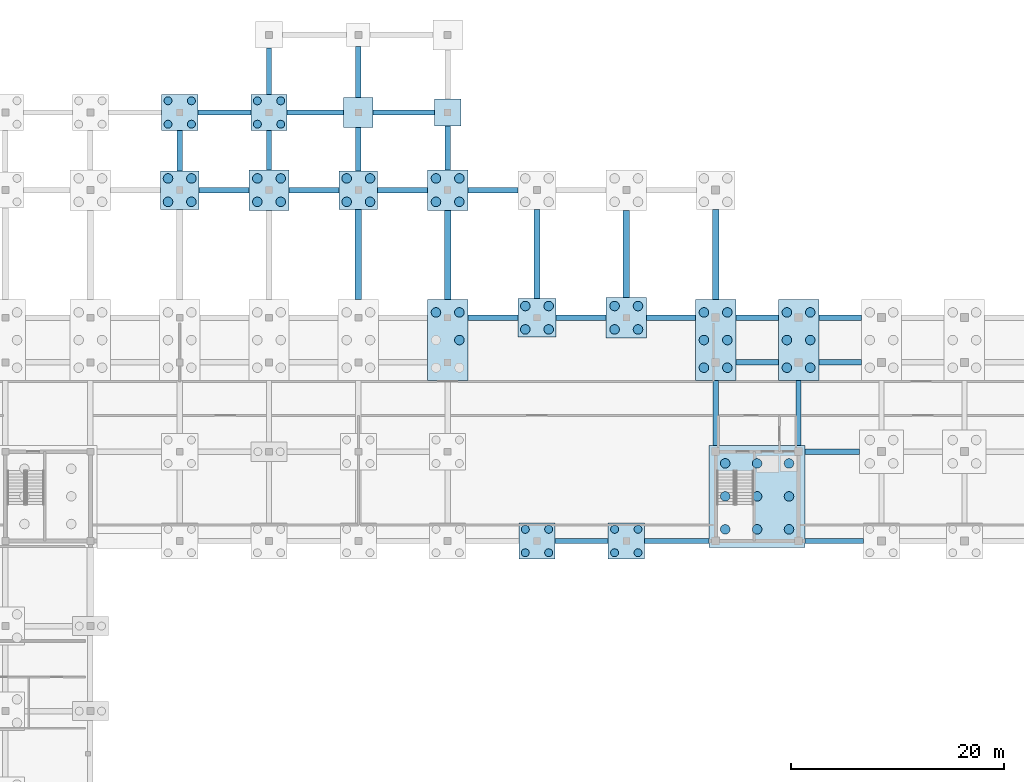
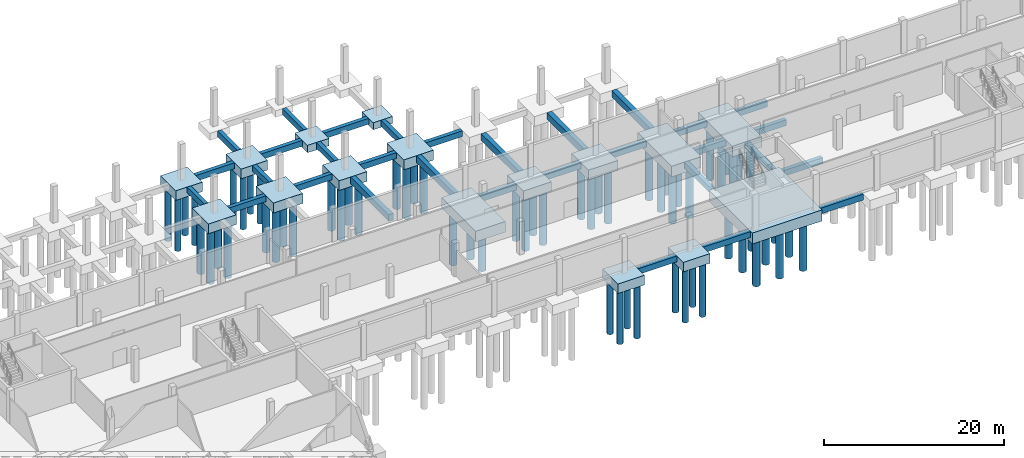
# One storey, part 7 of 22: 64 piles, 47 footings.
"""IFC4 building model written with IfcOpenShell, lengths in metres."""

from ifc_helpers import new_model, si_unit, direction, frame, origin, origin_2d, place, context, subcontext, project, spatial, polyline, rectangle, circle, outline, extrude, material, material_profile, profile_set, type_object, element, save


model = new_model("IFC4")

# Units and contexts
model_context = context("Model", 3, precision=1e-05, world=origin(), true_north=direction((0.0, 1.0)))
body_context = subcontext(model_context, "Body", "Model", "MODEL_VIEW")
ifc_project = project(units=[si_unit("LENGTHUNIT", "METRE"), si_unit("AREAUNIT", "SQUARE_METRE"), si_unit("VOLUMEUNIT", "CUBIC_METRE"), si_unit("PLANEANGLEUNIT", "RADIAN"), si_unit("MASSUNIT", "GRAM", prefix="KILO")], contexts=[model_context])

# Site, building, storey
site_placement = place(None, origin())
site = spatial("IfcSite", under=ifc_project, at=site_placement, CompositionType="ELEMENT")
building_placement = place(site_placement, origin())
building = spatial("IfcBuilding", under=site, at=building_placement, Name="Vharandega Faculty of Natural Sciences", CompositionType="ELEMENT")
storey_placement = place(building_placement, frame((0.0, 0.0, -4.5)))
storey = spatial("IfcBuildingStorey", under=building, at=storey_placement, Name="B01", CompositionType="ELEMENT", Elevation=-4.5)

# Piles
ifc_material_1 = material(Name="Concrete C35/45", Category="concrete")
ifc_material_profile_1 = material_profile(ifc_material_1, circle(Radius=0.375, at=origin_2d()), Name="PILE 750")
ifc_profile_set_1 = profile_set([ifc_material_profile_1], Name="Concrete C35/45")
pile_type_1 = type_object("IfcPileType", Name="Bored Pile 750", PredefinedType="BORED", material=ifc_profile_set_1)
for number, where, z_axis, x_axis, name in (
    (1, (63.300048828125, 103.199951171875, -1.64990234375), (0.0, 0.0, -1.0), (1.0, 0.0, 0.0), "Bored Pile PL-9P-01"),
    (2, (65.5, 103.199951171875, -1.64990234375), (0.0, 0.0, -1.0), (1.0, 0.0, 0.0), "Bored Pile PL-9P-02"),
    (3, (65.5, 105.39990234375, -1.64990234375), (0.0, 0.0, -1.0), (1.0, 0.0, 0.0), "Bored Pile PL-9P-03"),
    (4, (63.300048828125, 105.39990234375, -1.64990234375), (0.0, 0.0, -1.0), (1.0, 0.0, 0.0), "Bored Pile PL-9P-04"),
    (5, (71.699951171875, 103.199951171875, -1.64990234375), (0.0, 0.0, -1.0), (1.0, 0.0, 0.0), "Bored Pile PL-10P-01"),
    (6, (73.89990234375, 103.199951171875, -1.64990234375), (0.0, 0.0, -1.0), (1.0, 0.0, 0.0), "Bored Pile PL-10P-02"),
    (7, (73.89990234375, 105.39990234375, -1.64990234375), (0.0, 0.0, -1.0), (1.0, 0.0, 0.0), "Bored Pile PL-10P-03"),
    (8, (71.699951171875, 105.39990234375, -1.64990234375), (0.0, 0.0, -1.0), (1.0, 0.0, 0.0), "Bored Pile PL-10P-04"),
    (9, (96.89990234375, 62.89990234375, -1.64990234375), (0.0, 0.0, -1.0), (1.0, 0.0, 0.0), "Bored Pile PL-13J-01"),
    (10, (99.10009765625, 62.89990234375, -1.64990234375), (0.0, 0.0, -1.0), (1.0, 0.0, 0.0), "Bored Pile PL-13J-02"),
    (11, (99.10009765625, 65.10009765625, -1.64990234375), (0.0, 0.0, -1.0), (1.0, 0.0, 0.0), "Bored Pile PL-13J-03"),
    (12, (96.89990234375, 65.10009765625, -1.64990234375), (0.0, 0.0, -1.0), (1.0, 0.0, 0.0), "Bored Pile PL-13J-04"),
    (13, (105.300048828125, 62.89990234375, -1.64990234375), (0.0, 0.0, -1.0), (1.0, 0.0, 0.0), "Bored Pile PL-14J-01"),
    (14, (107.5, 62.89990234375, -1.64990234375), (0.0, 0.0, -1.0), (1.0, 0.0, 0.0), "Bored Pile PL-14J-02"),
    (15, (107.5, 65.10009765625, -1.64990234375), (0.0, 0.0, -1.0), (1.0, 0.0, 0.0), "Bored Pile PL-14J-03"),
    (16, (105.300048828125, 65.10009765625, -1.64990234375), (0.0, 0.0, -1.0), (1.0, 0.0, 0.0), "Bored Pile PL-14J-04"),
):
    element("IfcPile", number, at=place(storey_placement, frame(where, z_axis=z_axis, x_axis=x_axis)), inside=storey, type_object=pile_type_1, Name=name, PredefinedType="BORED", context=body_context, shape_type="SweptSolid", body=[
        extrude(circle(Radius=0.375, at=origin_2d()), origin(), (0.0, 0.0, 1.0), 7.35009765625),
    ])
ifc_material_2 = material(Name="Concrete C35/45", Category="concrete")
ifc_material_profile_2 = material_profile(ifc_material_2, circle(Radius=0.449951171875, at=origin_2d()), Name="PILE 900")
ifc_profile_set_2 = profile_set([ifc_material_profile_2], Name="Concrete C35/45")
pile_type_2 = type_object("IfcPileType", Name="Bored Pile 900", PredefinedType="BORED", material=ifc_profile_set_2)
for number, where, z_axis, x_axis, name in (
    (17, (115.699951171875, 65.10009765625, -1.85009765625), (0.0, 0.0, -1.0), (1.0, 0.0, 0.0), "Bored Pile PL-C1-01"),
    (18, (115.699951171875, 68.199951171875, -1.85009765625), (0.0, 0.0, -1.0), (1.0, 0.0, 0.0), "Bored Pile PL-C1-02"),
    (19, (115.699951171875, 71.300048828125, -1.85009765625), (0.0, 0.0, -1.0), (1.0, 0.0, 0.0), "Bored Pile PL-C1-03"),
    (20, (118.699951171875, 65.10009765625, -1.85009765625), (0.0, 0.0, -1.0), (1.0, 0.0, 0.0), "Bored Pile PL-C1-04"),
    (21, (118.699951171875, 68.199951171875, -1.85009765625), (0.0, 0.0, -1.0), (1.0, 0.0, 0.0), "Bored Pile PL-C1-05"),
    (22, (118.699951171875, 71.300048828125, -1.85009765625), (0.0, 0.0, -1.0), (1.0, 0.0, 0.0), "Bored Pile PL-C1-06"),
    (23, (121.699951171875, 65.10009765625, -1.85009765625), (0.0, 0.0, -1.0), (1.0, 0.0, 0.0), "Bored Pile PL-C1-07"),
    (24, (121.699951171875, 68.199951171875, -1.85009765625), (0.0, 0.0, -1.0), (1.0, 0.0, 0.0), "Bored Pile PL-C1-08"),
    (25, (121.699951171875, 71.300048828125, -1.85009765625), (0.0, 0.0, -1.0), (1.0, 0.0, 0.0), "Bored Pile PL-C1-09"),
):
    element("IfcPile", number, at=place(storey_placement, frame(where, z_axis=z_axis, x_axis=x_axis)), inside=storey, type_object=pile_type_2, Name=name, PredefinedType="BORED", context=body_context, shape_type="SweptSolid", body=[
        extrude(circle(Radius=0.449951171875, at=origin_2d()), origin(), (0.0, 0.0, 1.0), 7.14990234375),
    ])
for number, where, z_axis, x_axis, name in (
    (26, (88.5, 85.5, -1.800048828125), (0.0, 0.0, -1.0), (1.0, 0.0, 0.0), "Bored Pile PL-12LM-03"),
    (27, (90.699951171875, 82.89990234375, -1.800048828125), (0.0, 0.0, -1.0), (1.0, 0.0, 0.0), "Bored Pile PL-12LM-05"),
    (28, (90.699951171875, 85.5, -1.800048828125), (0.0, 0.0, -1.0), (1.0, 0.0, 0.0), "Bored Pile PL-12LM-06"),
    (29, (113.699951171875, 80.300048828125, -1.800048828125), (0.0, 0.0, -1.0), (1.0, 0.0, 0.0), "Bored Pile PL-15LM-01"),
    (30, (113.699951171875, 82.89990234375, -1.800048828125), (0.0, 0.0, -1.0), (1.0, 0.0, 0.0), "Bored Pile PL-15LM-02"),
    (31, (113.699951171875, 85.5, -1.800048828125), (0.0, 0.0, -1.0), (1.0, 0.0, 0.0), "Bored Pile PL-15LM-03"),
    (32, (115.89990234375, 80.300048828125, -1.800048828125), (0.0, 0.0, -1.0), (1.0, 0.0, 0.0), "Bored Pile PL-15LM-04"),
    (33, (115.89990234375, 82.89990234375, -1.800048828125), (0.0, 0.0, -1.0), (1.0, 0.0, 0.0), "Bored Pile PL-15LM-05"),
    (34, (115.89990234375, 85.5, -1.800048828125), (0.0, 0.0, -1.0), (1.0, 0.0, 0.0), "Bored Pile PL-15LM-06"),
    (35, (121.5, 80.300048828125, -1.800048828125), (0.0, 0.0, -1.0), (1.0, 0.0, 0.0), "Bored Pile PL-16LM-01"),
    (36, (121.5, 82.89990234375, -1.800048828125), (0.0, 0.0, -1.0), (1.0, 0.0, 0.0), "Bored Pile PL-16LM-02"),
    (37, (121.5, 85.5, -1.800048828125), (0.0, 0.0, -1.0), (1.0, 0.0, 0.0), "Bored Pile PL-16LM-03"),
    (38, (123.699951171875, 80.300048828125, -1.800048828125), (0.0, 0.0, -1.0), (1.0, 0.0, 0.0), "Bored Pile PL-16LM-04"),
    (39, (123.699951171875, 82.89990234375, -1.800048828125), (0.0, 0.0, -1.0), (1.0, 0.0, 0.0), "Bored Pile PL-16LM-05"),
    (40, (123.699951171875, 85.5, -1.800048828125), (0.0, 0.0, -1.0), (1.0, 0.0, 0.0), "Bored Pile PL-16LM-06"),
):
    element("IfcPile", number, at=place(storey_placement, frame(where, z_axis=z_axis, x_axis=x_axis)), inside=storey, type_object=pile_type_2, Name=name, PredefinedType="BORED", context=body_context, shape_type="SweptSolid", body=[
        extrude(circle(Radius=0.449951171875, at=origin_2d()), origin(), (0.0, 0.0, 1.0), 7.199951171875),
    ])
for number, where, z_axis, x_axis, name in (
    (41, (63.300048828125, 95.89990234375, -1.669921875), (0.0, 0.0, -1.0), (1.0, 0.0, 0.0), "Bored Pile PL-9N-01"),
    (42, (65.5, 95.89990234375, -1.669921875), (0.0, 0.0, -1.0), (1.0, 0.0, 0.0), "Bored Pile PL-9N-02"),
    (43, (65.5, 98.10009765625, -1.669921875), (0.0, 0.0, -1.0), (1.0, 0.0, 0.0), "Bored Pile PL-9N-03"),
    (44, (63.300048828125, 98.10009765625, -1.669921875), (0.0, 0.0, -1.0), (1.0, 0.0, 0.0), "Bored Pile PL-9N-04"),
):
    element("IfcPile", number, at=place(storey_placement, frame(where, z_axis=z_axis, x_axis=x_axis)), inside=storey, type_object=pile_type_2, Name=name, PredefinedType="BORED", context=body_context, shape_type="SweptSolid", body=[
        extrude(circle(Radius=0.449951171875, at=origin_2d()), origin(), (0.0, 0.0, 1.0), 7.330078125),
    ])
for number, where, z_axis, x_axis, name in (
    (45, (71.699951171875, 95.89990234375, -1.699951171875), (0.0, 0.0, -1.0), (1.0, 0.0, 0.0), "Bored Pile PL-10N-01"),
    (46, (73.89990234375, 95.89990234375, -1.699951171875), (0.0, 0.0, -1.0), (1.0, 0.0, 0.0), "Bored Pile PL-10N-02"),
    (47, (73.89990234375, 98.10009765625, -1.699951171875), (0.0, 0.0, -1.0), (1.0, 0.0, 0.0), "Bored Pile PL-10N-03"),
    (48, (71.699951171875, 98.10009765625, -1.699951171875), (0.0, 0.0, -1.0), (1.0, 0.0, 0.0), "Bored Pile PL-10N-04"),
):
    element("IfcPile", number, at=place(storey_placement, frame(where, z_axis=z_axis, x_axis=x_axis)), inside=storey, type_object=pile_type_2, Name=name, PredefinedType="BORED", context=body_context, shape_type="SweptSolid", body=[
        extrude(circle(Radius=0.449951171875, at=origin_2d()), origin(), (0.0, 0.0, 1.0), 7.300048828125),
    ])
for number, where, z_axis, x_axis, name in (
    (49, (80.10009765625, 95.89990234375, -1.669921875), (0.0, 0.0, -1.0), (1.0, 0.0, 0.0), "Bored Pile PL-11N-01"),
    (50, (82.300048828125, 95.89990234375, -1.669921875), (0.0, 0.0, -1.0), (1.0, 0.0, 0.0), "Bored Pile PL-11N-02"),
    (51, (82.300048828125, 98.10009765625, -1.669921875), (0.0, 0.0, -1.0), (1.0, 0.0, 0.0), "Bored Pile PL-11N-03"),
    (52, (80.10009765625, 98.10009765625, -1.669921875), (0.0, 0.0, -1.0), (1.0, 0.0, 0.0), "Bored Pile PL-11N-04"),
):
    element("IfcPile", number, at=place(storey_placement, frame(where, z_axis=z_axis, x_axis=x_axis)), inside=storey, type_object=pile_type_2, Name=name, PredefinedType="BORED", context=body_context, shape_type="SweptSolid", body=[
        extrude(circle(Radius=0.449951171875, at=origin_2d()), origin(), (0.0, 0.0, 1.0), 7.330078125),
    ])
for number, where, z_axis, x_axis, name in (
    (53, (88.5, 95.89990234375, -1.699951171875), (0.0, 0.0, -1.0), (1.0, 0.0, 0.0), "Bored Pile PL-12N-01"),
    (54, (90.699951171875, 95.89990234375, -1.699951171875), (0.0, 0.0, -1.0), (1.0, 0.0, 0.0), "Bored Pile PL-12N-02"),
    (55, (90.699951171875, 98.10009765625, -1.699951171875), (0.0, 0.0, -1.0), (1.0, 0.0, 0.0), "Bored Pile PL-12N-03"),
    (56, (88.5, 98.10009765625, -1.699951171875), (0.0, 0.0, -1.0), (1.0, 0.0, 0.0), "Bored Pile PL-12N-04"),
):
    element("IfcPile", number, at=place(storey_placement, frame(where, z_axis=z_axis, x_axis=x_axis)), inside=storey, type_object=pile_type_2, Name=name, PredefinedType="BORED", context=body_context, shape_type="SweptSolid", body=[
        extrude(circle(Radius=0.449951171875, at=origin_2d()), origin(), (0.0, 0.0, 1.0), 7.300048828125),
    ])
for number, where, z_axis, x_axis, name in (
    (57, (96.89990234375, 83.89990234375, -1.669921875), (0.0, 0.0, -1.0), (1.0, 0.0, 0.0), "Bored Pile PL-13M-01"),
    (58, (99.10009765625, 83.89990234375, -1.669921875), (0.0, 0.0, -1.0), (1.0, 0.0, 0.0), "Bored Pile PL-13M-02"),
    (59, (99.10009765625, 86.10009765625, -1.669921875), (0.0, 0.0, -1.0), (1.0, 0.0, 0.0), "Bored Pile PL-13M-03"),
    (60, (96.89990234375, 86.10009765625, -1.669921875), (0.0, 0.0, -1.0), (1.0, 0.0, 0.0), "Bored Pile PL-13M-04"),
):
    element("IfcPile", number, at=place(storey_placement, frame(where, z_axis=z_axis, x_axis=x_axis)), inside=storey, type_object=pile_type_2, Name=name, PredefinedType="BORED", context=body_context, shape_type="SweptSolid", body=[
        extrude(circle(Radius=0.449951171875, at=origin_2d()), origin(), (0.0, 0.0, 1.0), 7.330078125),
    ])
for number, where, z_axis, x_axis, name in (
    (61, (105.300048828125, 83.89990234375, -1.699951171875), (0.0, 0.0, -1.0), (1.0, 0.0, 0.0), "Bored Pile PL-14M-01"),
    (62, (107.5, 83.89990234375, -1.699951171875), (0.0, 0.0, -1.0), (1.0, 0.0, 0.0), "Bored Pile PL-14M-02"),
    (63, (107.5, 86.10009765625, -1.699951171875), (0.0, 0.0, -1.0), (1.0, 0.0, 0.0), "Bored Pile PL-14M-03"),
    (64, (105.300048828125, 86.10009765625, -1.699951171875), (0.0, 0.0, -1.0), (1.0, 0.0, 0.0), "Bored Pile PL-14M-04"),
):
    element("IfcPile", number, at=place(storey_placement, frame(where, z_axis=z_axis, x_axis=x_axis)), inside=storey, type_object=pile_type_2, Name=name, PredefinedType="BORED", context=body_context, shape_type="SweptSolid", body=[
        extrude(circle(Radius=0.449951171875, at=origin_2d()), origin(), (0.0, 0.0, 1.0), 7.300048828125),
    ])

# Footings
ifc_material_3 = material(Name="Concrete C35/45", Category="concrete")
footing_type_1 = type_object("IfcFootingType", Name="Ground Tie Beam 500x800", PredefinedType="FOOTING_BEAM", material=ifc_material_3)
footing_1_placement = place(storey_placement, frame((0.0, 0.0, -1.25)))
element("IfcFooting", 65, at=footing_1_placement, inside=storey, type_object=footing_type_1, Name="Substructure Tie FND-GB-X046", PredefinedType="FOOTING_BEAM", context=body_context, shape_type="SweptSolid", body=[
    extrude(outline(polyline([(99.699951171875, 63.75), (104.699951171875, 63.75), (104.699951171875, 64.25), (99.699951171875, 64.25), (99.699951171875, 63.75)])), origin(), (0.0, 0.0, 1.0), 0.800048828125),
])
footing_2_placement = place(storey_placement, frame((0.0, 0.0, -1.25)))
element("IfcFooting", 66, at=footing_2_placement, inside=storey, type_object=footing_type_1, Name="Substructure Tie FND-GB-X047", PredefinedType="FOOTING_BEAM", context=body_context, shape_type="SweptSolid", body=[
    extrude(outline(polyline([(108.10009765625, 63.75), (114.199951171875, 63.75), (114.199951171875, 64.25), (108.10009765625, 64.25), (108.10009765625, 63.75)])), origin(), (0.0, 0.0, 1.0), 0.800048828125),
])
footing_3_placement = place(storey_placement, frame((0.0, 0.0, -1.25)))
element("IfcFooting", 67, at=footing_3_placement, inside=storey, type_object=footing_type_1, Name="Substructure Tie FND-GB-X048", PredefinedType="FOOTING_BEAM", context=body_context, shape_type="SweptSolid", body=[
    extrude(outline(polyline([(123.199951171875, 63.75), (128.699951171875, 63.75), (128.699951171875, 64.25), (123.199951171875, 64.25), (123.199951171875, 63.75)])), origin(), (0.0, 0.0, 1.0), 0.800048828125),
])
footing_4_placement = place(storey_placement, frame((0.0, 0.0, -1.25)))
element("IfcFooting", 68, at=footing_4_placement, inside=storey, type_object=footing_type_1, Name="Substructure Tie FND-GB-X060", PredefinedType="FOOTING_BEAM", context=body_context, shape_type="SweptSolid", body=[
    extrude(outline(polyline([(123.199951171875, 72.14990234375), (128.35009765625, 72.14990234375), (128.35009765625, 72.64990234375), (123.199951171875, 72.64990234375), (123.199951171875, 72.14990234375)])), origin(), (0.0, 0.0, 1.0), 0.800048828125),
])
footing_5_placement = place(storey_placement, frame((0.0, 0.0, -1.25)))
element("IfcFooting", 69, at=footing_5_placement, inside=storey, type_object=footing_type_1, Name="Substructure Tie FND-GB-X073", PredefinedType="FOOTING_BEAM", context=body_context, shape_type="SweptSolid", body=[
    extrude(outline(polyline([(116.699951171875, 80.550048828125), (120.699951171875, 80.550048828125), (120.699951171875, 81.050048828125), (116.699951171875, 81.050048828125), (116.699951171875, 80.550048828125)])), origin(), (0.0, 0.0, 1.0), 0.800048828125),
])
footing_6_placement = place(storey_placement, frame((0.0, 0.0, -1.25)))
element("IfcFooting", 70, at=footing_6_placement, inside=storey, type_object=footing_type_1, Name="Substructure Tie FND-GB-X074", PredefinedType="FOOTING_BEAM", context=body_context, shape_type="SweptSolid", body=[
    extrude(outline(polyline([(124.5, 80.550048828125), (128.5, 80.550048828125), (128.5, 81.050048828125), (124.5, 81.050048828125), (124.5, 80.550048828125)])), origin(), (0.0, 0.0, 1.0), 0.800048828125),
])
footing_7_placement = place(storey_placement, frame((0.0, 0.0, -1.25)))
element("IfcFooting", 71, at=footing_7_placement, inside=storey, type_object=footing_type_1, Name="Substructure Tie FND-GB-X090", PredefinedType="FOOTING_BEAM", context=body_context, shape_type="SweptSolid", body=[
    extrude(outline(polyline([(91.5, 84.75), (96.199951171875, 84.75), (96.199951171875, 85.25), (91.5, 85.25), (91.5, 84.75)])), origin(), (0.0, 0.0, 1.0), 0.800048828125),
])
footing_8_placement = place(storey_placement, frame((0.0, 0.0, -1.25)))
element("IfcFooting", 72, at=footing_8_placement, inside=storey, type_object=footing_type_1, Name="Substructure Tie FND-GB-X091", PredefinedType="FOOTING_BEAM", context=body_context, shape_type="SweptSolid", body=[
    extrude(outline(polyline([(99.800048828125, 84.75), (104.5, 84.75), (104.5, 85.25), (99.800048828125, 85.25), (99.800048828125, 84.75)])), origin(), (0.0, 0.0, 1.0), 0.800048828125),
])
footing_9_placement = place(storey_placement, frame((0.0, 0.0, -1.25)))
element("IfcFooting", 73, at=footing_9_placement, inside=storey, type_object=footing_type_1, Name="Substructure Tie FND-GB-X092", PredefinedType="FOOTING_BEAM", context=body_context, shape_type="SweptSolid", body=[
    extrude(outline(polyline([(108.300048828125, 84.75), (112.89990234375, 84.75), (112.89990234375, 85.25), (108.300048828125, 85.25), (108.300048828125, 84.75)])), origin(), (0.0, 0.0, 1.0), 0.800048828125),
])
footing_10_placement = place(storey_placement, frame((0.0, 0.0, -1.25)))
element("IfcFooting", 74, at=footing_10_placement, inside=storey, type_object=footing_type_1, Name="Substructure Tie FND-GB-X093", PredefinedType="FOOTING_BEAM", context=body_context, shape_type="SweptSolid", body=[
    extrude(outline(polyline([(116.699951171875, 84.75), (120.699951171875, 84.75), (120.699951171875, 85.25), (116.699951171875, 85.25), (116.699951171875, 84.75)])), origin(), (0.0, 0.0, 1.0), 0.800048828125),
])
footing_11_placement = place(storey_placement, frame((0.0, 0.0, -1.25)))
element("IfcFooting", 75, at=footing_11_placement, inside=storey, type_object=footing_type_1, Name="Substructure Tie FND-GB-X094", PredefinedType="FOOTING_BEAM", context=body_context, shape_type="SweptSolid", body=[
    extrude(outline(polyline([(124.5, 84.75), (128.5, 84.75), (128.5, 85.25), (124.5, 85.25), (124.5, 84.75)])), origin(), (0.0, 0.0, 1.0), 0.800048828125),
])
footing_12_placement = place(storey_placement, frame((0.0, 0.0, -1.25)))
element("IfcFooting", 76, at=footing_12_placement, inside=storey, type_object=footing_type_1, Name="Substructure Tie FND-GB-X107", PredefinedType="FOOTING_BEAM", context=body_context, shape_type="SweptSolid", body=[
    extrude(outline(polyline([(66.199951171875, 96.75), (70.89990234375, 96.75), (70.89990234375, 97.25), (66.199951171875, 97.25), (66.199951171875, 96.75)])), origin(), (0.0, 0.0, 1.0), 0.800048828125),
])
footing_13_placement = place(storey_placement, frame((0.0, 0.0, -1.25)))
element("IfcFooting", 77, at=footing_13_placement, inside=storey, type_object=footing_type_1, Name="Substructure Tie FND-GB-X108", PredefinedType="FOOTING_BEAM", context=body_context, shape_type="SweptSolid", body=[
    extrude(outline(polyline([(74.699951171875, 96.75), (79.39990234375, 96.75), (79.39990234375, 97.25), (74.699951171875, 97.25), (74.699951171875, 96.75)])), origin(), (0.0, 0.0, 1.0), 0.800048828125),
])
footing_14_placement = place(storey_placement, frame((0.0, 0.0, -1.25)))
element("IfcFooting", 78, at=footing_14_placement, inside=storey, type_object=footing_type_1, Name="Substructure Tie FND-GB-X109", PredefinedType="FOOTING_BEAM", context=body_context, shape_type="SweptSolid", body=[
    extrude(outline(polyline([(83.0, 96.75), (87.699951171875, 96.75), (87.699951171875, 97.25), (83.0, 97.25), (83.0, 96.75)])), origin(), (0.0, 0.0, 1.0), 0.800048828125),
])
footing_15_placement = place(storey_placement, frame((0.0, 0.0, -1.25)))
element("IfcFooting", 79, at=footing_15_placement, inside=storey, type_object=footing_type_1, Name="Substructure Tie FND-GB-X110", PredefinedType="FOOTING_BEAM", context=body_context, shape_type="SweptSolid", body=[
    extrude(outline(polyline([(91.5, 96.75), (96.199951171875, 96.75), (96.199951171875, 97.25), (91.5, 97.25), (91.5, 96.75)])), origin(), (0.0, 0.0, 1.0), 0.800048828125),
])
footing_16_placement = place(storey_placement, frame((0.0, 0.0, -1.25)))
element("IfcFooting", 80, at=footing_16_placement, inside=storey, type_object=footing_type_1, Name="Substructure Tie FND-GB-X121", PredefinedType="FOOTING_BEAM", context=body_context, shape_type="SweptSolid", body=[
    extrude(outline(polyline([(66.10009765625, 104.050048828125), (71.10009765625, 104.050048828125), (71.10009765625, 104.550048828125), (66.10009765625, 104.550048828125), (66.10009765625, 104.050048828125)])), origin(), (0.0, 0.0, 1.0), 0.800048828125),
])
footing_17_placement = place(storey_placement, frame((0.0, 0.0, -1.25)))
element("IfcFooting", 81, at=footing_17_placement, inside=storey, type_object=footing_type_1, Name="Substructure Tie FND-GB-X122", PredefinedType="FOOTING_BEAM", context=body_context, shape_type="SweptSolid", body=[
    extrude(outline(polyline([(74.5, 104.050048828125), (79.800048828125, 104.050048828125), (79.800048828125, 104.550048828125), (74.5, 104.550048828125), (74.5, 104.050048828125)])), origin(), (0.0, 0.0, 1.0), 0.800048828125),
])
footing_18_placement = place(storey_placement, frame((0.0, 0.0, -1.25)))
element("IfcFooting", 82, at=footing_18_placement, inside=storey, type_object=footing_type_1, Name="Substructure Tie FND-GB-X123", PredefinedType="FOOTING_BEAM", context=body_context, shape_type="SweptSolid", body=[
    extrude(outline(polyline([(82.60009765625, 104.050048828125), (88.35009765625, 104.050048828125), (88.35009765625, 104.550048828125), (82.60009765625, 104.550048828125), (82.60009765625, 104.050048828125)])), origin(), (0.0, 0.0, 1.0), 0.800048828125),
])
footing_19_placement = place(storey_placement, frame((0.0, 0.0, -1.25)))
element("IfcFooting", 83, at=footing_19_placement, inside=storey, type_object=footing_type_1, Name="Substructure Tie FND-GB-Y221", PredefinedType="FOOTING_BEAM", context=body_context, shape_type="SweptSolid", body=[
    extrude(outline(polyline([(64.14990234375, 98.800048828125), (64.64990234375, 98.800048828125), (64.64990234375, 102.60009765625), (64.14990234375, 102.60009765625), (64.14990234375, 98.800048828125)])), origin(), (0.0, 0.0, 1.0), 0.800048828125),
])
footing_20_placement = place(storey_placement, frame((0.0, 0.0, -1.25)))
element("IfcFooting", 84, at=footing_20_placement, inside=storey, type_object=footing_type_1, Name="Substructure Tie FND-GB-Y225", PredefinedType="FOOTING_BEAM", context=body_context, shape_type="SweptSolid", body=[
    extrude(outline(polyline([(72.550048828125, 98.89990234375), (73.050048828125, 98.89990234375), (73.050048828125, 102.60009765625), (72.550048828125, 102.60009765625), (72.550048828125, 98.89990234375)])), origin(), (0.0, 0.0, 1.0), 0.800048828125),
])
footing_21_placement = place(storey_placement, frame((0.0, 0.0, -1.25)))
element("IfcFooting", 85, at=footing_21_placement, inside=storey, type_object=footing_type_1, Name="Substructure Tie FND-GB-Y226", PredefinedType="FOOTING_BEAM", context=body_context, shape_type="SweptSolid", body=[
    extrude(outline(polyline([(72.550048828125, 106.0), (73.050048828125, 106.0), (73.050048828125, 110.35009765625), (72.550048828125, 110.35009765625), (72.550048828125, 106.0)])), origin(), (0.0, 0.0, 1.0), 0.800048828125),
])
footing_22_placement = place(storey_placement, frame((0.0, 0.0, -1.25)))
element("IfcFooting", 86, at=footing_22_placement, inside=storey, type_object=footing_type_1, Name="Substructure Tie FND-GB-Y230", PredefinedType="FOOTING_BEAM", context=body_context, shape_type="SweptSolid", body=[
    extrude(outline(polyline([(80.949951171875, 98.800048828125), (81.449951171875, 98.800048828125), (81.449951171875, 102.89990234375), (80.949951171875, 102.89990234375), (80.949951171875, 98.800048828125)])), origin(), (0.0, 0.0, 1.0), 0.800048828125),
])
footing_23_placement = place(storey_placement, frame((0.0, 0.0, -1.25)))
element("IfcFooting", 87, at=footing_23_placement, inside=storey, type_object=footing_type_1, Name="Substructure Tie FND-GB-Y231", PredefinedType="FOOTING_BEAM", context=body_context, shape_type="SweptSolid", body=[
    extrude(outline(polyline([(80.949951171875, 105.699951171875), (81.449951171875, 105.699951171875), (81.449951171875, 110.5), (80.949951171875, 110.5), (80.949951171875, 105.699951171875)])), origin(), (0.0, 0.0, 1.0), 0.800048828125),
])
footing_24_placement = place(storey_placement, frame((0.0, 0.0, -1.25)))
element("IfcFooting", 88, at=footing_24_placement, inside=storey, type_object=footing_type_1, Name="Substructure Tie FND-GB-Y235", PredefinedType="FOOTING_BEAM", context=body_context, shape_type="SweptSolid", body=[
    extrude(outline(polyline([(89.35009765625, 98.89990234375), (89.85009765625, 98.89990234375), (89.85009765625, 103.050048828125), (89.35009765625, 103.050048828125), (89.35009765625, 98.89990234375)])), origin(), (0.0, 0.0, 1.0), 0.800048828125),
])
footing_25_placement = place(storey_placement, frame((0.0, 0.0, -1.25)))
element("IfcFooting", 89, at=footing_25_placement, inside=storey, type_object=footing_type_1, Name="Substructure Tie FND-GB-Y239", PredefinedType="FOOTING_BEAM", context=body_context, shape_type="SweptSolid", body=[
    extrude(outline(polyline([(114.550048828125, 73.0), (115.050048828125, 73.0), (115.050048828125, 79.10009765625), (114.550048828125, 79.10009765625), (114.550048828125, 73.0)])), origin(), (0.0, 0.0, 1.0), 0.800048828125),
])
footing_26_placement = place(storey_placement, frame((0.0, 0.0, -1.25)))
element("IfcFooting", 90, at=footing_26_placement, inside=storey, type_object=footing_type_1, Name="Substructure Tie FND-GB-Y241", PredefinedType="FOOTING_BEAM", context=body_context, shape_type="SweptSolid", body=[
    extrude(outline(polyline([(122.35009765625, 73.0), (122.85009765625, 73.0), (122.85009765625, 79.10009765625), (122.35009765625, 79.10009765625), (122.35009765625, 73.0)])), origin(), (0.0, 0.0, 1.0), 0.800048828125),
])
ifc_material_4 = material(Name="Concrete C35/45", Category="concrete")
footing_type_2 = type_object("IfcFootingType", Name="Ground Tie Beam 600x900", PredefinedType="FOOTING_BEAM", material=ifc_material_4)
footing_27_placement = place(storey_placement, frame((0.0, 0.0, -1.35009765625)))
element("IfcFooting", 91, at=footing_27_placement, inside=storey, type_object=footing_type_2, Name="Substructure Tie FND-GB-Y229", PredefinedType="FOOTING_BEAM", context=body_context, shape_type="SweptSolid", body=[
    extrude(outline(polyline([(80.89990234375, 86.699951171875), (81.5, 86.699951171875), (81.5, 95.199951171875), (80.89990234375, 95.199951171875), (80.89990234375, 86.699951171875)])), origin(), (0.0, 0.0, 1.0), 0.900146484375),
])
footing_28_placement = place(storey_placement, frame((0.0, 0.0, -1.35009765625)))
element("IfcFooting", 92, at=footing_28_placement, inside=storey, type_object=footing_type_2, Name="Substructure Tie FND-GB-Y234", PredefinedType="FOOTING_BEAM", context=body_context, shape_type="SweptSolid", body=[
    extrude(outline(polyline([(89.300048828125, 86.699951171875), (89.89990234375, 86.699951171875), (89.89990234375, 95.10009765625), (89.300048828125, 95.10009765625), (89.300048828125, 86.699951171875)])), origin(), (0.0, 0.0, 1.0), 0.900146484375),
])
footing_29_placement = place(storey_placement, frame((0.0, 0.0, -1.35009765625)))
element("IfcFooting", 93, at=footing_29_placement, inside=storey, type_object=footing_type_2, Name="Substructure Tie FND-GB-Y237", PredefinedType="FOOTING_BEAM", context=body_context, shape_type="SweptSolid", body=[
    extrude(outline(polyline([(97.699951171875, 86.800048828125), (98.300048828125, 86.800048828125), (98.300048828125, 95.199951171875), (97.699951171875, 95.199951171875), (97.699951171875, 86.800048828125)])), origin(), (0.0, 0.0, 1.0), 0.900146484375),
])
footing_30_placement = place(storey_placement, frame((0.0, 0.0, -1.35009765625)))
element("IfcFooting", 94, at=footing_30_placement, inside=storey, type_object=footing_type_2, Name="Substructure Tie FND-GB-Y238", PredefinedType="FOOTING_BEAM", context=body_context, shape_type="SweptSolid", body=[
    extrude(outline(polyline([(106.10009765625, 86.89990234375), (106.699951171875, 86.89990234375), (106.699951171875, 95.10009765625), (106.10009765625, 95.10009765625), (106.10009765625, 86.89990234375)])), origin(), (0.0, 0.0, 1.0), 0.900146484375),
])
footing_31_placement = place(storey_placement, frame((0.0, 0.0, -1.35009765625)))
element("IfcFooting", 95, at=footing_31_placement, inside=storey, type_object=footing_type_2, Name="Substructure Tie FND-GB-Y240", PredefinedType="FOOTING_BEAM", context=body_context, shape_type="SweptSolid", body=[
    extrude(outline(polyline([(114.5, 86.699951171875), (115.10009765625, 86.699951171875), (115.10009765625, 95.199951171875), (114.5, 95.199951171875), (114.5, 86.699951171875)])), origin(), (0.0, 0.0, 1.0), 0.900146484375),
])
ifc_material_5 = material(Name="Concrete C35/45", Category="concrete")
footing_type_3 = type_object("IfcFootingType", Name="Pad Footing 2500x2500x950", PredefinedType="PAD_FOOTING", material=ifc_material_5)
footing_32_placement = place(storey_placement, frame((89.60009765625, 104.300048828125, -1.39990234375), z_axis=(0.0, 0.0, 1.0), x_axis=(1.0, 0.0, 0.0)))
element("IfcFooting", 96, at=footing_32_placement, inside=storey, type_object=footing_type_3, Name="Pad Footing 12/P", PredefinedType="PAD_FOOTING", context=body_context, shape_type="SweptSolid", body=[
    extrude(rectangle(XDim=2.5, YDim=2.5, at=origin_2d()), origin(), (0.0, 0.0, 1.0), 0.949951171875),
])
ifc_material_6 = material(Name="Concrete C35/45", Category="concrete")
footing_type_4 = type_object("IfcFootingType", Name="Pad Footing 2800x2800x1000", PredefinedType="PAD_FOOTING", material=ifc_material_6)
footing_33_placement = place(storey_placement, frame((81.199951171875, 104.300048828125, -1.449951171875), z_axis=(0.0, 0.0, 1.0), x_axis=(1.0, 0.0, 0.0)))
element("IfcFooting", 97, at=footing_33_placement, inside=storey, type_object=footing_type_4, Name="Pad Footing 11/P", PredefinedType="PAD_FOOTING", context=body_context, shape_type="SweptSolid", body=[
    extrude(rectangle(XDim=2.800048828125, YDim=2.800048828125, at=origin_2d()), origin(), (0.0, 0.0, 1.0), 1.0),
])
ifc_material_7 = material(Name="Concrete C35/45", Category="concrete")
footing_type_5 = type_object("IfcFootingType", Name="Pile Cap 4P 3400x3400x1300", PredefinedType="PILE_CAP", material=ifc_material_7)
for number, where, z_axis, x_axis, name in (
    (98, (64.39990234375, 104.300048828125, -1.75), (0.0, 0.0, 1.0), (1.0, 0.0, 0.0), "Pile Cap 9/P"),
    (99, (72.800048828125, 104.300048828125, -1.75), (0.0, 0.0, 1.0), (1.0, 0.0, 0.0), "Pile Cap 10/P"),
    (100, (98.0, 64.0, -1.75), (0.0, 0.0, 1.0), (1.0, 0.0, 0.0), "Pile Cap 13/J"),
    (101, (106.39990234375, 64.0, -1.75), (0.0, 0.0, 1.0), (1.0, 0.0, 0.0), "Pile Cap 14/J"),
):
    element("IfcFooting", number, at=place(storey_placement, frame(where, z_axis=z_axis, x_axis=x_axis)), inside=storey, type_object=footing_type_5, Name=name, PredefinedType="PILE_CAP", context=body_context, shape_type="SweptSolid", body=[
        extrude(rectangle(XDim=3.39990234375, YDim=3.39990234375, at=origin_2d()), origin(), (0.0, 0.0, 1.0), 1.300048828125),
    ])
ifc_material_8 = material(Name="Concrete C35/45", Category="concrete")
footing_type_6 = type_object("IfcFootingType", Name="Pile Cap 4P 3600x3600x1320", PredefinedType="PILE_CAP", material=ifc_material_8)
for number, where, z_axis, x_axis, name in (
    (102, (64.39990234375, 97.0, -1.77001953125), (0.0, 0.0, 1.0), (1.0, 0.0, 0.0), "Pile Cap 9/N"),
    (103, (81.199951171875, 97.0, -1.77001953125), (0.0, 0.0, 1.0), (1.0, 0.0, 0.0), "Pile Cap 11/N"),
    (104, (98.0, 85.0, -1.77001953125), (0.0, 0.0, 1.0), (1.0, 0.0, 0.0), "Pile Cap 13/M"),
):
    element("IfcFooting", number, at=place(storey_placement, frame(where, z_axis=z_axis, x_axis=x_axis)), inside=storey, type_object=footing_type_6, Name=name, PredefinedType="PILE_CAP", context=body_context, shape_type="SweptSolid", body=[
        extrude(rectangle(XDim=3.60009765625, YDim=3.60009765625, at=origin_2d()), origin(), (0.0, 0.0, 1.0), 1.320068359375),
    ])
ifc_material_9 = material(Name="Concrete C35/45", Category="concrete")
footing_type_7 = type_object("IfcFootingType", Name="Pile Cap 4P 3800x3800x1350", PredefinedType="PILE_CAP", material=ifc_material_9)
for number, where, z_axis, x_axis, name in (
    (105, (72.800048828125, 97.0, -1.800048828125), (0.0, 0.0, 1.0), (1.0, 0.0, 0.0), "Pile Cap 10/N"),
    (106, (89.60009765625, 97.0, -1.800048828125), (0.0, 0.0, 1.0), (1.0, 0.0, 0.0), "Pile Cap 12/N"),
    (107, (106.39990234375, 85.0, -1.800048828125), (0.0, 0.0, 1.0), (1.0, 0.0, 0.0), "Pile Cap 14/M"),
):
    element("IfcFooting", number, at=place(storey_placement, frame(where, z_axis=z_axis, x_axis=x_axis)), inside=storey, type_object=footing_type_7, Name=name, PredefinedType="PILE_CAP", context=body_context, shape_type="SweptSolid", body=[
        extrude(rectangle(XDim=3.800048828125, YDim=3.800048828125, at=origin_2d()), origin(), (0.0, 0.0, 1.0), 1.35009765625),
    ])
ifc_material_10 = material(Name="Concrete C35/45", Category="concrete")
footing_type_8 = type_object("IfcFootingType", Name="Pile Cap 6P Combined 3800x7600x1450", PredefinedType="PILE_CAP", material=ifc_material_10)
for number, where, z_axis, x_axis, name in (
    (108, (89.60009765625, 82.89990234375, -1.89990234375), (0.0, 0.0, 1.0), (1.0, 0.0, 0.0), "Combined Pile Cap 12/L-M"),
    (109, (114.800048828125, 82.89990234375, -1.89990234375), (0.0, 0.0, 1.0), (1.0, 0.0, 0.0), "Combined Pile Cap 15/L-M"),
    (110, (122.60009765625, 82.89990234375, -1.89990234375), (0.0, 0.0, 1.0), (1.0, 0.0, 0.0), "Combined Pile Cap 16/L-M"),
):
    element("IfcFooting", number, at=place(storey_placement, frame(where, z_axis=z_axis, x_axis=x_axis)), inside=storey, type_object=footing_type_8, Name=name, PredefinedType="PILE_CAP", context=body_context, shape_type="SweptSolid", body=[
        extrude(rectangle(XDim=3.800048828125, YDim=7.60009765625, at=origin_2d()), origin(), (0.0, 0.0, 1.0), 1.449951171875),
    ])
ifc_material_11 = material(Name="Concrete C35/45", Category="concrete")
footing_type_9 = type_object("IfcFootingType", Name="Pile Cap 9P Core C1 9000x9600x1500", PredefinedType="PILE_CAP", material=ifc_material_11)
footing_34_placement = place(storey_placement, frame((118.699951171875, 68.199951171875, -1.949951171875), z_axis=(0.0, 0.0, 1.0), x_axis=(1.0, 0.0, 0.0)))
element("IfcFooting", 111, at=footing_34_placement, inside=storey, type_object=footing_type_9, Name="Core Pile Cap C1", PredefinedType="PILE_CAP", context=body_context, shape_type="SweptSolid", body=[
    extrude(rectangle(XDim=9.0, YDim=9.60009765625, at=origin_2d()), origin(), (0.0, 0.0, 1.0), 1.5),
])

save(model, "model.ifc")
